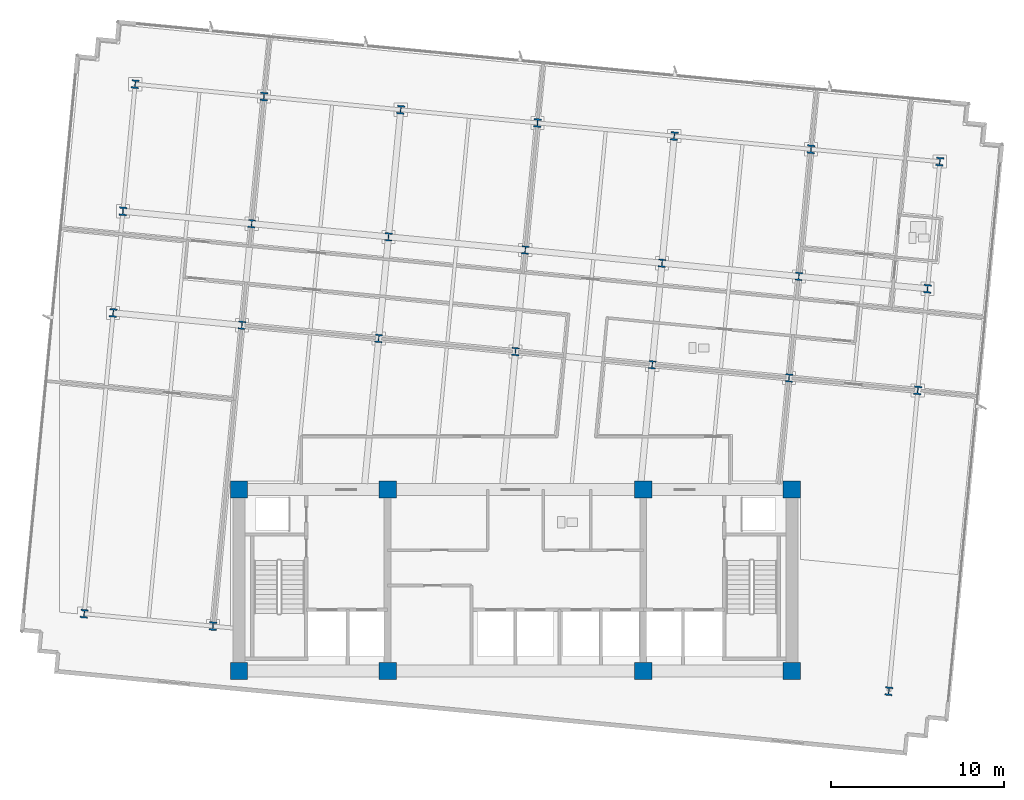
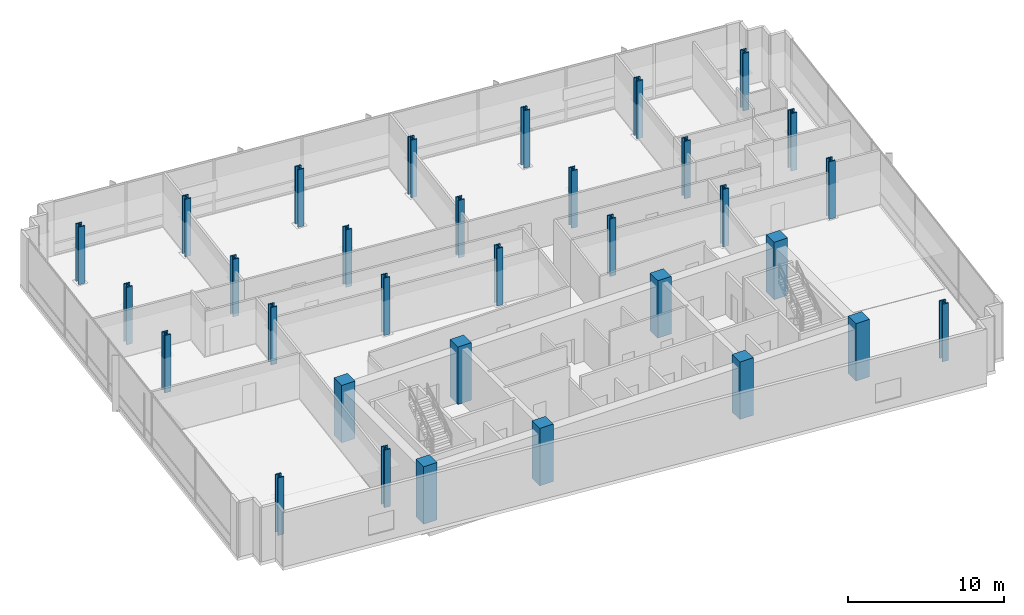
# One storey, part 1 of 17: 32 columns.
"""IFC4 building model written with IfcOpenShell, lengths in metres."""

from ifc_helpers import new_model, si_unit, direction, frame, origin, origin_2d, place, context, subcontext, project, spatial, rectangle, i_section, extrude, material, material_profile, profile_set, type_object, element, save


model = new_model("IFC4")

# Units and contexts
model_context = context("Model", 3, precision=1e-05, world=origin(), true_north=direction((0.0, 1.0)))
body_context = subcontext(model_context, "Body", "Model", "MODEL_VIEW")
ifc_project = project(units=[si_unit("LENGTHUNIT", "METRE"), si_unit("AREAUNIT", "SQUARE_METRE"), si_unit("VOLUMEUNIT", "CUBIC_METRE"), si_unit("PLANEANGLEUNIT", "RADIAN"), si_unit("MASSUNIT", "GRAM", prefix="KILO")], contexts=[model_context])

# Site, building, storey
site_placement = place(None, origin())
site = spatial("IfcSite", under=ifc_project, at=site_placement, CompositionType="ELEMENT")
building_placement = place(site_placement, origin())
building = spatial("IfcBuilding", under=site, at=building_placement, Name="Solmavex Isthmus Hotel", CompositionType="ELEMENT")
storey_placement = place(building_placement, frame((0.0, 0.0, 177.300048828125)))
storey = spatial("IfcBuildingStorey", under=building, at=storey_placement, Name="L48", CompositionType="ELEMENT", Elevation=177.300048828125)

# Columns
ifc_material_1 = material(Name="Concrete C60/75", Category="concrete")
ifc_material_profile_1 = material_profile(ifc_material_1, rectangle(XDim=1.0, YDim=1.0, at=origin_2d()), Name="RC1000X1000")
ifc_profile_set_1 = profile_set([ifc_material_profile_1], Name="Concrete C60/75")
column_type_1 = type_object("IfcColumnType", Name="COL-CC-1000", PredefinedType="COLUMN", material=ifc_profile_set_1)
for number, where, z_axis, x_axis, name in (
    (1, (-16.0, -13.0, 0.0), (0.0, 0.0, 1.0), (1.0, 0.0, 0.0), "Core Pilaster CC-SW L48"),
    (2, (-7.39990234375, -13.0, 0.0), (0.0, 0.0, 1.0), (1.0, 0.0, 0.0), "Core Pilaster CC-S1 L48"),
    (3, (7.39990234375, -13.0, 0.0), (0.0, 0.0, 1.0), (1.0, 0.0, 0.0), "Core Pilaster CC-S2 L48"),
    (4, (16.0, -13.0, 0.0), (0.0, 0.0, 1.0), (1.0, 0.0, 0.0), "Core Pilaster CC-SE L48"),
    (5, (-16.0, -2.5, 0.0), (0.0, 0.0, 1.0), (1.0, 0.0, 0.0), "Core Pilaster CC-NW L48"),
    (6, (-7.39990234375, -2.5, 0.0), (0.0, 0.0, 1.0), (1.0, 0.0, 0.0), "Core Pilaster CC-N1 L48"),
    (7, (7.39990234375, -2.5, 0.0), (0.0, 0.0, 1.0), (1.0, 0.0, 0.0), "Core Pilaster CC-N2 L48"),
    (8, (16.0, -2.5, 0.0), (0.0, 0.0, 1.0), (1.0, 0.0, 0.0), "Core Pilaster CC-NE L48"),
):
    element("IfcColumn", number, at=place(storey_placement, frame(where, z_axis=z_axis, x_axis=x_axis)), inside=storey, type_object=column_type_1, Name=name, PredefinedType="COLUMN", context=body_context, shape_type="SweptSolid", body=[
        extrude(rectangle(XDim=1.0, YDim=1.0, at=origin_2d()), origin(), (0.0, 0.0, 1.0), 4.5),
    ])
ifc_material_2 = material(Name="Steel ASTM A913 Grade 65", Category="steel")
ifc_material_profile_2 = material_profile(ifc_material_2, i_section(OverallWidth=0.424072265625, OverallDepth=0.47412109375, WebThickness=0.047607421875, FlangeThickness=0.0771484375, FilletRadius=0.030517578125, at=origin_2d()), Name="W14X426")
ifc_profile_set_2 = profile_set([ifc_material_profile_2], Name="Steel ASTM A913 Grade 65")
column_type_2 = type_object("IfcColumnType", Name="COL-SC-W14X426", PredefinedType="COLUMN", material=ifc_profile_set_2)
for number, where, z_axis, x_axis, name in (
    (9, (-15.83740234375, 7.015380859375, 0.0), (0.0, 0.0, 1.0), (0.995396198367, -0.09584575252, 0.0), "Tower Column B3-U2V2 L48"),
    (10, (-15.271240234375, 12.896240234375, 0.0), (0.0, 0.0, 1.0), (0.995396198367, -0.09584575252, 0.0), "Tower Column B3-U2V3 L48"),
    (11, (-7.918212890625, 6.2529296875, 0.0), (0.0, 0.0, 1.0), (0.995396198367, -0.09584575252, 0.0), "Tower Column B3-U3V2 L48"),
    (12, (-7.351806640625, 12.1337890625, 0.0), (0.0, 0.0, 1.0), (0.995396198367, -0.09584575252, 0.0), "Tower Column B3-U3V3 L48"),
    (13, (0.001220703125, 5.490234375, 0.0), (0.0, 0.0, 1.0), (0.995396198367, -0.09584575252, 0.0), "Tower Column B3-U4V2 L48"),
    (14, (0.567626953125, 11.37109375, 0.0), (0.0, 0.0, 1.0), (0.995396198367, -0.09584575252, 0.0), "Tower Column B3-U4V3 L48"),
    (15, (7.920654296875, 4.727783203125, 0.0), (0.0, 0.0, 1.0), (0.995396198367, -0.09584575252, 0.0), "Tower Column B3-U5V2 L48"),
    (16, (8.48681640625, 10.608642578125, 0.0), (0.0, 0.0, 1.0), (0.995396198367, -0.09584575252, 0.0), "Tower Column B3-U5V3 L48"),
    (17, (15.840087890625, 3.96533203125, 0.0), (0.0, 0.0, 1.0), (0.995396198367, -0.09584575252, 0.0), "Tower Column B3-U6V2 L48"),
    (18, (16.40625, 9.845947265625, 0.0), (0.0, 0.0, 1.0), (0.995396198367, -0.09584575252, 0.0), "Tower Column B3-U6V3 L48"),
):
    element("IfcColumn", number, at=place(storey_placement, frame(where, z_axis=z_axis, x_axis=x_axis)), inside=storey, type_object=column_type_2, Name=name, PredefinedType="COLUMN", context=body_context, shape_type="SweptSolid", body=[
        extrude(i_section(OverallWidth=0.424072265625, OverallDepth=0.47412109375, WebThickness=0.047607421875, FlangeThickness=0.0771484375, FilletRadius=0.030517578125, at=origin_2d()), origin(), (0.0, 0.0, 1.0), 4.5),
    ])
ifc_material_profile_3 = material_profile(ifc_material_2, i_section(OverallWidth=0.43212890625, OverallDepth=0.497802734375, WebThickness=0.0556640625, FlangeThickness=0.0888671875, FilletRadius=0.030517578125, at=origin_2d()), Name="W14X500")
ifc_profile_set_3 = profile_set([ifc_material_profile_3], Name="Steel ASTM A913 Grade 65")
column_type_3 = type_object("IfcColumnType", Name="COL-SC-W14X500", PredefinedType="COLUMN", material=ifc_profile_set_3)
for number, where, z_axis, x_axis, name in (
    (19, (-24.96826171875, -9.686279296875, 0.0), (0.0, 0.0, 1.0), (0.995396198367, -0.09584575252, 0.0), "Tower Column B3-U1V1 L48"),
    (20, (-23.291015625, 7.733154296875, 0.0), (0.0, 0.0, 1.0), (0.995396198367, -0.09584575252, 0.0), "Tower Column B3-U1V2 L48"),
    (21, (-22.724853515625, 13.614013671875, 0.0), (0.0, 0.0, 1.0), (0.995396198367, -0.09584575252, 0.0), "Tower Column B3-U1V3 L48"),
    (22, (-22.016357421875, 20.971923828125, 0.0), (0.0, 0.0, 1.0), (0.995396198367, -0.09584575252, 0.0), "Tower Column B3-U1V4 L48"),
    (23, (-17.5146484375, -10.404052734375, 0.0), (0.0, 0.0, 1.0), (0.995396198367, -0.09584575252, 0.0), "Tower Column B3-U2V1 L48"),
    (24, (-14.562744140625, 20.254150390625, 0.0), (0.0, 0.0, 1.0), (0.995396198367, -0.09584575252, 0.0), "Tower Column B3-U2V4 L48"),
    (25, (-6.643310546875, 19.49169921875, 0.0), (0.0, 0.0, 1.0), (0.995396198367, -0.09584575252, 0.0), "Tower Column B3-U3V4 L48"),
    (26, (1.276123046875, 18.72900390625, 0.0), (0.0, 0.0, 1.0), (0.995396198367, -0.09584575252, 0.0), "Tower Column B3-U4V4 L48"),
    (27, (9.1953125, 17.966552734375, 0.0), (0.0, 0.0, 1.0), (0.995396198367, -0.09584575252, 0.0), "Tower Column B3-U5V4 L48"),
    (28, (17.11474609375, 17.2041015625, 0.0), (0.0, 0.0, 1.0), (0.995396198367, -0.09584575252, 0.0), "Tower Column B3-U6V4 L48"),
    (29, (21.6162109375, -14.171875, 0.0), (0.0, 0.0, 1.0), (0.995396198367, -0.09584575252, 0.0), "Tower Column B3-U7V1 L48"),
    (30, (23.29345703125, 3.24755859375, 0.0), (0.0, 0.0, 1.0), (0.995396198367, -0.09584575252, 0.0), "Tower Column B3-U7V2 L48"),
    (31, (23.85986328125, 9.12841796875, 0.0), (0.0, 0.0, 1.0), (0.995396198367, -0.09584575252, 0.0), "Tower Column B3-U7V3 L48"),
    (32, (24.568359375, 16.486328125, 0.0), (0.0, 0.0, 1.0), (0.995396198367, -0.09584575252, 0.0), "Tower Column B3-U7V4 L48"),
):
    element("IfcColumn", number, at=place(storey_placement, frame(where, z_axis=z_axis, x_axis=x_axis)), inside=storey, type_object=column_type_3, Name=name, PredefinedType="COLUMN", context=body_context, shape_type="SweptSolid", body=[
        extrude(i_section(OverallWidth=0.43212890625, OverallDepth=0.497802734375, WebThickness=0.0556640625, FlangeThickness=0.0888671875, FilletRadius=0.030517578125, at=origin_2d()), origin(), (0.0, 0.0, 1.0), 4.5),
    ])

save(model, "model.ifc")
